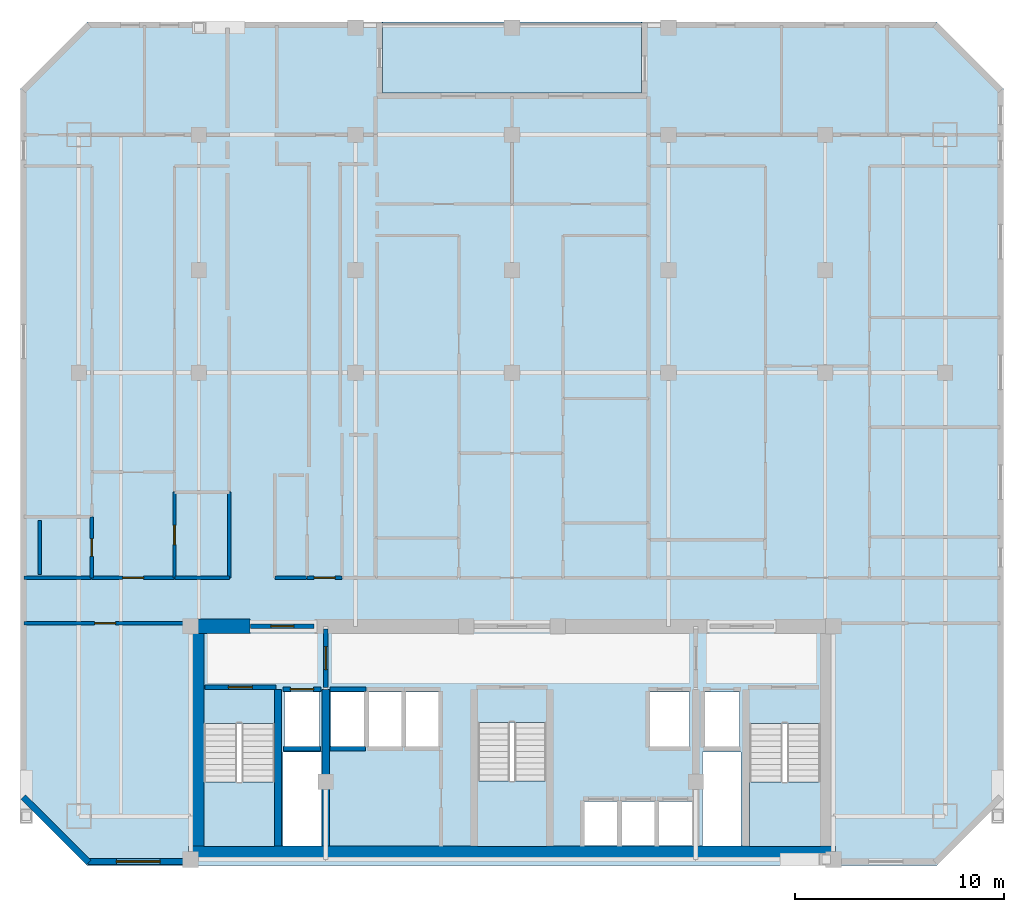
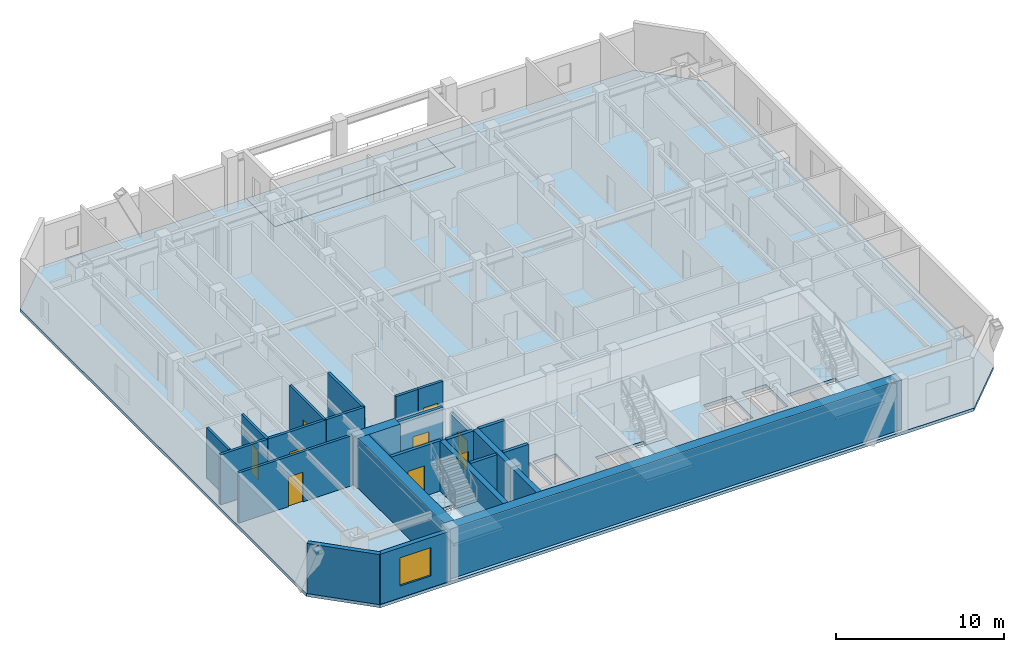
# One storey, part 2 of 8: 24 walls, 9 doors, 5 slabs, 1 window, 10 openings, 3 elements without a shape of their own.
"""IFC4 building model written with IfcOpenShell, lengths in metres."""

import ifcopenshell
import ifcopenshell.guid

model = None  # the IFC model being written
_history = None  # IfcOwnerHistory: only IFC2X3 demands one
_inside = {}  # id of a spatial element -> (the spatial element, [elements in it])
_under = {}  # id of a project, library or spatial element -> (it, [spatial elements below it])
_declared = {}  # id of a project -> (the project, [libraries it declares])
_typed = {}  # id of a type object -> (the type object, [elements of that type])
_made_of = {}  # id of a material, layer set ... -> (it, [elements and type objects made of it])


def new_model(schema):
    """Start an empty IFC model of exactly this schema.

    Asked for "IFC4X3", IfcOpenShell would pick the latest addendum, in which some entities
    have other attributes; the version numbers below select the first issue.
    IFC2X3 requires an IfcOwnerHistory on every rooted entity: one is made here for all.
    """
    global model, _history
    if schema == "IFC4X3":
        model = ifcopenshell.file(schema_version=(4, 3, 0, 0))
    else:
        model = ifcopenshell.file(schema=schema)
    _inside.clear()
    _under.clear()
    _declared.clear()
    _typed.clear()
    _made_of.clear()
    _history = None
    if model.schema == "IFC2X3":
        org = make("IfcOrganization", Name="unknown")
        user = make(
            "IfcPersonAndOrganization",
            ThePerson=make("IfcPerson", FamilyName="unknown"),
            TheOrganization=org,
        )
        app = make(
            "IfcApplication",
            ApplicationDeveloper=org,
            Version="unknown",
            ApplicationFullName="unknown",
            ApplicationIdentifier="unknown",
        )
        _history = make(
            "IfcOwnerHistory",
            OwningUser=user,
            OwningApplication=app,
            ChangeAction="ADDED",
            CreationDate=0,
        )
    return model


def make(cls, **values):
    """One entity of the class cls with the attributes given. An attribute that is None is left unset."""
    return model.create_entity(
        cls, **{name: value for name, value in values.items() if value is not None}
    )


def rooted(cls, **values):
    """An entity with a GlobalId (a new one), such as an element, a storey or a relation."""
    return make(cls, GlobalId=ifcopenshell.guid.new(), OwnerHistory=_history, **values)


def si_unit(unit_type, name, prefix=None):
    """IfcSIUnit, for example si_unit("LENGTHUNIT", "METRE", prefix="MILLI")."""
    return make("IfcSIUnit", UnitType=unit_type, Prefix=prefix, Name=name)


def assignment(units):
    """IfcUnitAssignment: the units of a project."""
    return None if units is None else make("IfcUnitAssignment", Units=units)


def point(xyz):
    """IfcCartesianPoint."""
    return None if xyz is None else make("IfcCartesianPoint", Coordinates=xyz)


def direction(xyz):
    """IfcDirection."""
    return None if xyz is None else make("IfcDirection", DirectionRatios=xyz)


def frame(location, z_axis=None, x_axis=None):
    """IfcAxis2Placement3D, a coordinate frame: its origin and axes. An axis left out is left unset."""
    return make(
        "IfcAxis2Placement3D",
        Location=point(location),
        Axis=direction(z_axis),
        RefDirection=direction(x_axis),
    )


def frame_2d(location, x_axis=None):
    """IfcAxis2Placement2D, a coordinate frame in the plane: its origin and x axis."""
    return make(
        "IfcAxis2Placement2D", Location=point(location), RefDirection=direction(x_axis)
    )


def origin():
    """The frame at (0, 0, 0) with its axes left unset."""
    return frame((0.0, 0.0, 0.0))


def place(relative_to, where):
    """IfcLocalPlacement: puts the frame where relative to a parent placement (None: the world)."""
    return make(
        "IfcLocalPlacement", PlacementRelTo=relative_to, RelativePlacement=where
    )


def context(
    kind, dimensions, precision=None, world=None, true_north=None, identifier=None
):
    """IfcGeometricRepresentationContext, for example the 3D "Model" context."""
    return make(
        "IfcGeometricRepresentationContext",
        ContextIdentifier=identifier,
        ContextType=kind,
        CoordinateSpaceDimension=dimensions,
        Precision=precision,
        WorldCoordinateSystem=world,
        TrueNorth=true_north,
    )


def subcontext(parent, identifier, kind, view, scale=None):
    """IfcGeometricRepresentationSubContext, for example "Body" below "Model"."""
    return make(
        "IfcGeometricRepresentationSubContext",
        ContextIdentifier=identifier,
        ContextType=kind,
        ParentContext=parent,
        TargetScale=scale,
        TargetView=view,
    )


def project(units=None, contexts=None):
    """IfcProject with its units and contexts."""
    return rooted(
        "IfcProject",
        Name="project",
        RepresentationContexts=contexts,
        UnitsInContext=assignment(units),
    )


def spatial(cls, under=None, at=None, **own):
    """A site, building, storey or space (cls), placed at a placement, below another one or the project."""
    s = rooted(cls, ObjectPlacement=at, **own)
    if under is not None:
        _under.setdefault(under.id(), (under, []))[1].append(s)
    return s


def polyline(points):
    """IfcPolyline through the points."""
    return make("IfcPolyline", Points=[point(p) for p in points])


def profile(cls, at=None, kind="AREA", **sizes):
    """A parametric profile (cls). Its sizes go by their IFC names, for example OverallWidth=200.0."""
    return make(cls, ProfileType=kind, Position=at, **sizes)


def rectangle(**sizes):
    """IfcRectangleProfileDef."""
    return profile("IfcRectangleProfileDef", **sizes)


def outline(outer, holes=None, kind="AREA"):
    """IfcArbitraryClosedProfileDef: a profile drawn as a closed curve; with holes, ...WithVoids."""
    if holes is None:
        return make("IfcArbitraryClosedProfileDef", ProfileType=kind, OuterCurve=outer)
    return make(
        "IfcArbitraryProfileDefWithVoids",
        ProfileType=kind,
        OuterCurve=outer,
        InnerCurves=holes,
    )


def extrude(swept, where, along, depth):
    """IfcExtrudedAreaSolid: the profile swept, set in the frame where, extruded along a direction by depth."""
    return make(
        "IfcExtrudedAreaSolid",
        SweptArea=swept,
        Position=where,
        ExtrudedDirection=direction(along),
        Depth=depth,
    )


def shape(context_of_items, identifier, shape_type, items):
    """IfcShapeRepresentation: the items that make up one representation, for example the "Body"."""
    return make(
        "IfcShapeRepresentation",
        ContextOfItems=context_of_items,
        RepresentationIdentifier=identifier,
        RepresentationType=shape_type,
        Items=items,
    )


def material(Name=None, Category=None):
    """IfcMaterial."""
    return make("IfcMaterial", Name=Name, Category=Category)


def layer(
    of_material, thickness, ventilated=None, Name=None, Category=None, Priority=None
):
    """IfcMaterialLayer: one layer of a wall or slab, of a material (None: an air gap)."""
    return make(
        "IfcMaterialLayer",
        Material=of_material,
        LayerThickness=thickness,
        IsVentilated=ventilated,
        Name=Name,
        Category=Category,
        Priority=Priority,
    )


def layer_set(layers, Name=None):
    """IfcMaterialLayerSet."""
    return make("IfcMaterialLayerSet", MaterialLayers=layers, LayerSetName=Name)


def made_of(thing, what):
    """Note that an element or type object is made of a material, layer set ...; save() writes the relation."""
    if what is not None:
        _made_of.setdefault(what.id(), (what, []))[1].append(thing)
    return thing


def type_object(cls, material=None, **own):
    """A type object (cls), such as IfcWallType, which elements share."""
    return made_of(rooted(cls, **own), material)


def element(
    cls,
    number,
    at=None,
    inside=None,
    cuts=None,
    type_object=None,
    material=None,
    context=None,
    identifier="Body",
    shape_type=None,
    held_by="IfcProductDefinitionShape",
    body=None,
    shapes=None,
    **own,
):
    """One element of the class cls, such as IfcWall. Its Tag is "e" and its number.

    at: its placement. inside: the storey or other place that contains it. cuts: it is an
    opening in that element (IfcRelVoidsElement). A single representation is given by context,
    identifier, shape_type and body (its items); several are given by shapes. held_by: the class
    of the entity that holds the representations. save() writes the other relations.
    """
    e = rooted(cls, Tag="e%d" % number, ObjectPlacement=at, **own)
    if body is not None:
        shapes = [shape(context, identifier, shape_type, body)]
    if shapes is not None:
        e.Representation = make(held_by, Representations=shapes)
    if inside is not None:
        _inside.setdefault(inside.id(), (inside, []))[1].append(e)
    if cuts is not None:
        rooted(
            "IfcRelVoidsElement", RelatingBuildingElement=cuts, RelatedOpeningElement=e
        )
    if type_object is not None:
        _typed.setdefault(type_object.id(), (type_object, []))[1].append(e)
    return made_of(e, material)


def fill(opening, filler):
    """IfcRelFillsElement: the door or window that sits in an opening."""
    return rooted(
        "IfcRelFillsElement",
        RelatingOpeningElement=opening,
        RelatedBuildingElement=filler,
    )


def aggregate(whole, parts):
    """IfcRelAggregates: a whole, such as a stair, and the parts it consists of."""
    return rooted("IfcRelAggregates", RelatingObject=whole, RelatedObjects=parts)


def save(model, path):
    """Write the relations noted so far, then the file.

    IfcRelAggregates (storeys below a building ...), IfcRelContainedInSpatialStructure (elements
    in a storey), IfcRelDefinesByType, IfcRelAssociatesMaterial and IfcRelDeclares: one each for
    every whole, place, type object, material and project.
    """
    for whole, parts in _under.values():
        aggregate(whole, parts)
    for where, things in _inside.values():
        rooted(
            "IfcRelContainedInSpatialStructure",
            RelatedElements=things,
            RelatingStructure=where,
        )
    for kind, things in _typed.values():
        rooted("IfcRelDefinesByType", RelatedObjects=things, RelatingType=kind)
    for what, things in _made_of.values():
        rooted("IfcRelAssociatesMaterial", RelatedObjects=things, RelatingMaterial=what)
    for by, libraries in _declared.values():
        rooted("IfcRelDeclares", RelatingContext=by, RelatedDefinitions=libraries)
    model.write(path)


model = new_model("IFC4")

# Units and contexts
model_context = context("Model", 3, precision=1e-05, world=origin(), true_north=direction((0.0, 1.0)))
body_context = subcontext(model_context, "Body", "Model", "MODEL_VIEW")
ifc_project = project(units=[si_unit("LENGTHUNIT", "METRE"), si_unit("AREAUNIT", "SQUARE_METRE"), si_unit("VOLUMEUNIT", "CUBIC_METRE"), si_unit("PLANEANGLEUNIT", "RADIAN"), si_unit("MASSUNIT", "GRAM", prefix="KILO")], contexts=[model_context])

# Site, building, storey
site_placement = place(None, origin())
site = spatial("IfcSite", under=ifc_project, at=site_placement, CompositionType="ELEMENT")
building_placement = place(site_placement, origin())
building = spatial("IfcBuilding", under=site, at=building_placement, Name="Ventersveld Concourse Tower", CompositionType="ELEMENT")
storey_placement = place(building_placement, frame((0.0, 0.0, 183.699951171875)))
storey = spatial("IfcBuildingStorey", under=building, at=storey_placement, Name="L45", CompositionType="ELEMENT", Elevation=183.699951171875)

# Slabs
ifc_material_1 = material(Name="Concrete C50/60", Category="concrete")
ifc_layer_1 = layer(ifc_material_1, 0.219970703125)
ifc_layer_set_1 = layer_set([ifc_layer_1], Name="Concrete C50/60")
slab_type_1 = type_object("IfcSlabType", Name="SL-FLR-220", PredefinedType="FLOOR", material=ifc_layer_set_1)
slab_1_placement = place(storey_placement, frame((0.0, 0.0, -0.219970703125)))
element("IfcSlab", 1, at=slab_1_placement, inside=storey, type_object=slab_type_1, Name="L45 Composite Floor Slab", PredefinedType="FLOOR", context=body_context, shape_type="SweptSolid", body=[
    extrude(outline(polyline([(8.39990234375, 0.0), (49.10009765625, 0.0), (52.300048828125, 3.199951171875), (52.300048828125, 37.199951171875), (49.10009765625, 40.39990234375), (34.949951171875, 40.39990234375), (34.949951171875, 37.0), (22.550048828125, 37.0), (22.550048828125, 40.39990234375), (8.39990234375, 40.39990234375), (5.199951171875, 37.199951171875), (5.199951171875, 3.199951171875), (8.39990234375, 0.0)]), holes=[polyline([(13.97998046875, 6.794921875), (13.97998046875, 0.89990234375), (17.3798828125, 0.89990234375), (17.3798828125, 6.794921875), (13.97998046875, 6.794921875)]), polyline([(40.1201171875, 6.794921875), (40.1201171875, 0.89990234375), (43.52001953125, 0.89990234375), (43.52001953125, 6.794921875), (40.1201171875, 6.794921875)]), polyline([(27.10009765625, 6.844970703125), (27.10009765625, 0.89990234375), (30.39990234375, 0.89990234375), (30.39990234375, 6.844970703125), (27.10009765625, 6.844970703125)]), polyline([(17.85009765625, 5.699951171875), (19.530029296875, 5.699951171875), (19.530029296875, 8.300048828125), (17.85009765625, 8.300048828125), (17.85009765625, 5.699951171875)]), polyline([(37.969970703125, 5.699951171875), (39.64990234375, 5.699951171875), (39.64990234375, 8.300048828125), (37.969970703125, 8.300048828125), (37.969970703125, 5.699951171875)]), polyline([(35.35009765625, 5.699951171875), (37.25, 5.699951171875), (37.25, 8.300048828125), (35.35009765625, 8.300048828125), (35.35009765625, 5.699951171875)]), polyline([(32.2099609375, 0.949951171875), (33.81005859375, 0.949951171875), (33.81005859375, 3.050048828125), (32.2099609375, 3.050048828125), (32.2099609375, 0.949951171875)]), polyline([(33.989990234375, 0.949951171875), (35.590087890625, 0.949951171875), (35.590087890625, 3.050048828125), (33.989990234375, 3.050048828125), (33.989990234375, 0.949951171875)]), polyline([(35.77001953125, 0.949951171875), (37.3701171875, 0.949951171875), (37.3701171875, 3.050048828125), (35.77001953125, 3.050048828125), (35.77001953125, 0.949951171875)]), polyline([(20.090087890625, 5.699951171875), (21.68994140625, 5.699951171875), (21.68994140625, 8.300048828125), (20.090087890625, 8.300048828125), (20.090087890625, 5.699951171875)]), polyline([(21.8701171875, 5.699951171875), (23.469970703125, 5.699951171875), (23.469970703125, 8.300048828125), (21.8701171875, 8.300048828125), (21.8701171875, 5.699951171875)]), polyline([(23.64990234375, 5.699951171875), (25.25, 5.699951171875), (25.25, 8.300048828125), (23.64990234375, 8.300048828125), (23.64990234375, 5.699951171875)]), polyline([(17.780029296875, 0.919921875), (19.6201171875, 0.919921875), (19.6201171875, 5.419921875), (17.780029296875, 5.419921875), (17.780029296875, 0.919921875)]), polyline([(37.8798828125, 0.919921875), (39.719970703125, 0.919921875), (39.719970703125, 5.419921875), (37.8798828125, 5.419921875), (37.8798828125, 0.919921875)])]), origin(), (0.0, 0.0, 1.0), 0.219970703125),
])
slab_2_placement = place(storey_placement, frame((0.0, 0.0, -0.219970703125)))
element("IfcSlab", 2, at=slab_2_placement, inside=storey, type_object=slab_type_1, Name="L45 Outdoor Terrace Slab NOTCH-N", PredefinedType="FLOOR", context=body_context, shape_type="SweptSolid", body=[
    extrude(outline(polyline([(22.550048828125, 37.0), (34.949951171875, 37.0), (34.949951171875, 40.39990234375), (22.550048828125, 40.39990234375), (22.550048828125, 37.0)])), origin(), (0.0, 0.0, 1.0), 0.219970703125),
])

# Stair, slab
stair_type_1 = type_object("IfcStairType", Name="ST-DOG-160", PredefinedType="HALF_TURN_STAIR", material=ifc_material_1)
stair_1_placement = place(storey_placement, origin())
stair_1 = element("IfcStair", 3, at=stair_1_placement, inside=storey, type_object=stair_type_1, Name="L45 Protected Tower Escape Stair ST-01", PredefinedType="HALF_TURN_STAIR")
ifc_layer_2 = layer(ifc_material_1, 0.199951171875)
ifc_layer_set_2 = layer_set([ifc_layer_2], Name="Concrete C50/60")
slab_type_2 = type_object("IfcSlabType", Name="SL-LND-200", PredefinedType="LANDING", material=ifc_layer_set_2)
slab_3_placement = place(storey_placement, frame((0.0, 0.0, 1.72509765625)))
slab_3 = element("IfcSlab", 4, at=slab_3_placement, type_object=slab_type_2, Name="ST-01 landing 1", PredefinedType="LANDING", context=body_context, shape_type="SweptSolid", body=[
    extrude(outline(polyline([(13.97998046875, 4.0), (13.97998046875, 0.89990234375), (17.3798828125, 0.89990234375), (17.3798828125, 4.0), (13.97998046875, 4.0)])), origin(), (0.0, 0.0, 1.0), 0.199951171875),
])
aggregate(stair_1, [slab_3])

stair_2_placement = place(storey_placement, origin())
stair_2 = element("IfcStair", 5, at=stair_2_placement, inside=storey, type_object=stair_type_1, Name="L45 Protected Tower Escape Stair ST-02", PredefinedType="HALF_TURN_STAIR")
slab_4_placement = place(storey_placement, frame((0.0, 0.0, 1.72509765625)))
slab_4 = element("IfcSlab", 6, at=slab_4_placement, type_object=slab_type_2, Name="ST-02 landing 1", PredefinedType="LANDING", context=body_context, shape_type="SweptSolid", body=[
    extrude(outline(polyline([(40.1201171875, 4.0), (40.1201171875, 0.89990234375), (43.52001953125, 0.89990234375), (43.52001953125, 4.0), (40.1201171875, 4.0)])), origin(), (0.0, 0.0, 1.0), 0.199951171875),
])
aggregate(stair_2, [slab_4])

stair_type_2 = type_object("IfcStairType", Name="ST-DOG-155", PredefinedType="HALF_TURN_STAIR", material=ifc_material_1)
stair_3_placement = place(storey_placement, origin())
stair_3 = element("IfcStair", 7, at=stair_3_placement, inside=storey, type_object=stair_type_2, Name="L45 Protected Central Core Escape Stair ST-03", PredefinedType="HALF_TURN_STAIR")
slab_5_placement = place(storey_placement, frame((0.0, 0.0, 1.72509765625)))
slab_5 = element("IfcSlab", 8, at=slab_5_placement, type_object=slab_type_2, Name="ST-03 landing 1", PredefinedType="LANDING", context=body_context, shape_type="SweptSolid", body=[
    extrude(outline(polyline([(27.10009765625, 4.050048828125), (27.10009765625, 0.89990234375), (30.39990234375, 0.89990234375), (30.39990234375, 4.050048828125), (27.10009765625, 4.050048828125)])), origin(), (0.0, 0.0, 1.0), 0.199951171875),
])
aggregate(stair_3, [slab_5])

# Walls
ifc_material_2 = material(Name="Concrete C60/75", Category="concrete")
ifc_layer_3 = layer(ifc_material_2, 0.35009765625)
ifc_layer_set_3 = layer_set([ifc_layer_3], Name="Concrete C60/75")
wall_type_1 = type_object("IfcWallType", Name="WL-CORE-350L", PredefinedType="SHEAR", material=ifc_layer_set_3)
for number, where, z_axis, x_axis, name in (
    (9, (17.5400390625, 0.919921875, 0.0), (0.0, 0.0, 1.0), (0.0, 1.0, 0.0), "L45 Core Internal Shear Web W-ST1-E"),
    (10, (19.820068359375, 0.919921875, 0.0), (0.0, 0.0, 1.0), (0.0, 1.0, 0.0), "L45 Core Internal Shear Web W-FF1-E"),
):
    element("IfcWall", number, at=place(storey_placement, frame(where, z_axis=z_axis, x_axis=x_axis)), inside=storey, type_object=wall_type_1, Name=name, PredefinedType="SHEAR", context=body_context, shape_type="SweptSolid", body=[
        extrude(rectangle(XDim=7.5, YDim=0.35009765625, at=frame_2d((3.75, 0.0))), origin(), (0.0, 0.0, 1.0), 3.630126953125),
    ])
ifc_layer_4 = layer(ifc_material_2, 0.699951171875)
ifc_layer_set_4 = layer_set([ifc_layer_4], Name="Concrete C60/75")
wall_type_2 = type_object("IfcWallType", Name="WL-CORE-700", PredefinedType="SHEAR", material=ifc_layer_set_4)
wall_1_placement = place(storey_placement, frame((13.25, 0.570068359375, 0.0), z_axis=(0.0, 0.0, 1.0), x_axis=(1.0, 0.0, 0.0)))
element("IfcWall", 11, at=wall_1_placement, inside=storey, type_object=wall_type_2, Name="L45 Rear Core South Shear Wall", PredefinedType="SHEAR", context=body_context, shape_type="SweptSolid", body=[
    extrude(rectangle(XDim=31.0, YDim=0.699951171875, at=frame_2d((15.5, 0.0))), origin(), (0.0, 0.0, 1.0), 3.630126953125),
])
wall_2_placement = place(storey_placement, frame((13.64990234375, 0.919921875, 0.0), z_axis=(0.0, 0.0, 1.0), x_axis=(0.0, 1.0, 0.0)))
element("IfcWall", 12, at=wall_2_placement, inside=storey, type_object=wall_type_2, Name="L45 Rear Core West Shear Wall", PredefinedType="SHEAR", context=body_context, shape_type="SweptSolid", body=[
    extrude(rectangle(XDim=10.530029296875, YDim=0.699951171875, at=frame_2d((5.26513671875, 0.0))), origin(), (0.0, 0.0, 1.0), 3.630126953125),
])
wall_3_placement = place(storey_placement, frame((13.25, 11.449951171875, 0.0), z_axis=(0.0, 0.0, 1.0), x_axis=(1.0, 0.0, 0.0)))
element("IfcWall", 13, at=wall_3_placement, inside=storey, type_object=wall_type_2, Name="L45 Rear Core North Shear Wall NW", PredefinedType="SHEAR", context=body_context, shape_type="SweptSolid", body=[
    extrude(rectangle(XDim=2.949951171875, YDim=0.699951171875, at=frame_2d((1.47509765625, 0.0))), origin(), (0.0, 0.0, 1.0), 3.630126953125),
])

# Wall, opening, door
ifc_material_3 = material(Name="Fire-rated autoclaved aerated masonry blockwork", Category="masonry")
ifc_layer_5 = layer(ifc_material_3, 0.179931640625)
ifc_layer_set_5 = layer_set([ifc_layer_5], Name="Fire-rated autoclaved aerated masonry blockwork")
wall_type_3 = type_object("IfcWallType", Name="WL-CORR-180", PredefinedType="PARTITIONING", material=ifc_layer_set_5)
wall_4_placement = place(storey_placement, frame((5.37255859375, 11.60009765625, 0.0), z_axis=(0.0, 0.0, 1.0), x_axis=(1.0, 0.0, 0.0)))
wall_4 = element("IfcWall", 14, at=wall_4_placement, inside=storey, type_object=wall_type_3, Name="L45 Interior Partition SP-L45-SW-GAL-SP-L45-COR", PredefinedType="PARTITIONING", context=body_context, shape_type="SweptSolid", body=[
    extrude(rectangle(XDim=7.7724609375, YDim=0.179931640625, at=frame_2d((3.88623046875, 0.0))), origin(), (0.0, 0.0, 1.0), 3.630126953125),
])
opening_1_placement = place(wall_4_placement, frame((3.38623046875, 0.0, 0.0)))
opening_1 = element("IfcOpeningElement", 15, at=opening_1_placement, cuts=wall_4, Name="Opening FD3", PredefinedType="OPENING", context=body_context, shape_type="SweptSolid", body=[
    extrude(rectangle(XDim=1.0, YDim=2.14990234375, at=frame_2d((0.5, 1.074951171875))), frame((0.0, 0.10009765625, 0.0), z_axis=(0.0, -1.0, 0.0), x_axis=(1.0, 0.0, 0.0)), (0.0, 0.0, 1.0), 0.199951171875),
])
ifc_material_4 = material(Name="Solid-core hardwood veneer timber", Category="wood")
door_type_1 = type_object("IfcDoorType", Name="DR-FLAT-100", OperationType="NOTDEFINED", PredefinedType="DOOR", material=ifc_material_4)
door_1_placement = place(opening_1_placement, origin())
door_1 = element("IfcDoor", 16, at=door_1_placement, inside=storey, type_object=door_type_1, Name="L45 Interior Door SP-L45-SW-GAL to SP-L45-COR (D-L45-2202)", OperationType="SINGLE_SWING_RIGHT", OverallHeight=2.14990234375, OverallWidth=1.0, PredefinedType="DOOR", context=body_context, shape_type="SweptSolid", body=[
    extrude(rectangle(XDim=1.0, YDim=2.14990234375, at=frame_2d((0.5, 1.074951171875))), frame((0.0, 0.02490234375, 0.0), z_axis=(0.0, -1.0, 0.0), x_axis=(1.0, 0.0, 0.0)), (0.0, 0.0, 1.0), 0.050048828125),
])
fill(opening_1, door_1)

wall_5_placement = place(storey_placement, frame((8.6162109375, 13.77001953125, 0.0), z_axis=(0.0, 0.0, 1.0), x_axis=(1.0, 0.0, 0.0)))
wall_5 = element("IfcWall", 17, at=wall_5_placement, inside=storey, type_object=wall_type_3, Name="L45 Interior Partition SP-L45-COR-SP-L45-45NW-FOY", PredefinedType="PARTITIONING", context=body_context, shape_type="SweptSolid", body=[
    extrude(rectangle(XDim=3.969970703125, YDim=0.179931640625, at=frame_2d((1.98486328125, 0.0))), origin(), (0.0, 0.0, 1.0), 3.630126953125),
])
opening_2_placement = place(wall_5_placement, frame((1.485107421875, 0.0, 0.0)))
opening_2 = element("IfcOpeningElement", 18, at=opening_2_placement, cuts=wall_5, Name="Opening FD3", PredefinedType="OPENING", context=body_context, shape_type="SweptSolid", body=[
    extrude(rectangle(XDim=1.0, YDim=2.14990234375, at=frame_2d((0.5, 1.074951171875))), frame((0.0, 0.10009765625, 0.0), z_axis=(0.0, -1.0, 0.0), x_axis=(1.0, 0.0, 0.0)), (0.0, 0.0, 1.0), 0.199951171875),
])
door_2_placement = place(opening_2_placement, origin())
door_2 = element("IfcDoor", 19, at=door_2_placement, inside=storey, type_object=door_type_1, Name="L45 Interior Door SP-L45-COR to SP-L45-45NW-FOY (FD-L45-2204)", OperationType="SINGLE_SWING_RIGHT", OverallHeight=2.14990234375, OverallWidth=1.0, PredefinedType="DOOR", context=body_context, shape_type="SweptSolid", body=[
    extrude(rectangle(XDim=1.0, YDim=2.14990234375, at=frame_2d((0.5, 1.074951171875))), frame((0.0, 0.02490234375, 0.0), z_axis=(0.0, -1.0, 0.0), x_axis=(1.0, 0.0, 0.0)), (0.0, 0.0, 1.0), 0.050048828125),
])
fill(opening_2, door_2)

# Walls
wall_6_placement = place(storey_placement, frame((5.37255859375, 13.77001953125, 0.0), z_axis=(0.0, 0.0, 1.0), x_axis=(1.0, 0.0, 0.0)))
element("IfcWall", 20, at=wall_6_placement, inside=storey, type_object=wall_type_3, Name="L45 Interior Partition SP-L45-COR-SP-L45-45NW-BATH", PredefinedType="PARTITIONING", context=body_context, shape_type="SweptSolid", body=[
    extrude(rectangle(XDim=3.213623046875, YDim=0.179931640625, at=frame_2d((1.60693359375, 0.0))), origin(), (0.0, 0.0, 1.0), 3.630126953125),
])
wall_7_placement = place(storey_placement, frame((15.2099609375, 13.764892578125, 0.0), z_axis=(0.0, 0.0, 1.0), x_axis=(0.0, 1.0, 0.0)))
element("IfcWall", 21, at=wall_7_placement, inside=storey, type_object=wall_type_3, Name="L45 Interior Partition SP-L45-COR-SP-L45-45NW-KIT", PredefinedType="PARTITIONING", context=body_context, shape_type="SweptSolid", body=[
    extrude(rectangle(XDim=4.110595703125, YDim=0.179931640625, at=frame_2d((2.05517578125, 0.0))), origin(), (0.0, 0.0, 1.0), 3.630126953125),
])
wall_8_placement = place(storey_placement, frame((12.6162109375, 13.77001953125, 0.0), z_axis=(0.0, 0.0, 1.0), x_axis=(1.0, 0.0, 0.0)))
element("IfcWall", 22, at=wall_8_placement, inside=storey, type_object=wall_type_3, Name="L45 Interior Partition SP-L45-COR-SP-L45-45NW-KIT", PredefinedType="PARTITIONING", context=body_context, shape_type="SweptSolid", body=[
    extrude(rectangle(XDim=2.598876953125, YDim=0.179931640625, at=frame_2d((1.29931640625, 0.0))), origin(), (0.0, 0.0, 1.0), 3.630126953125),
])

# Wall, opening, door
wall_9_placement = place(storey_placement, frame((18.93505859375, 13.77001953125, 0.0), z_axis=(0.0, 0.0, 1.0), x_axis=(1.0, 0.0, 0.0)))
wall_9 = element("IfcWall", 23, at=wall_9_placement, inside=storey, type_object=wall_type_3, Name="L45 Interior Partition SP-L45-COR-SP-L45-45CW-LIV", PredefinedType="PARTITIONING", context=body_context, shape_type="SweptSolid", body=[
    extrude(rectangle(XDim=1.679931640625, YDim=0.179931640625, at=frame_2d((0.83984375, 0.0))), origin(), (0.0, 0.0, 1.0), 3.630126953125),
])
opening_3_placement = place(wall_9_placement, frame((0.340087890625, 0.0, 0.0)))
opening_3 = element("IfcOpeningElement", 24, at=opening_3_placement, cuts=wall_9, Name="Opening FD3", PredefinedType="OPENING", context=body_context, shape_type="SweptSolid", body=[
    extrude(rectangle(XDim=1.0, YDim=2.14990234375, at=frame_2d((0.5, 1.074951171875))), frame((0.0, 0.10009765625, 0.0), z_axis=(0.0, -1.0, 0.0), x_axis=(1.0, 0.0, 0.0)), (0.0, 0.0, 1.0), 0.199951171875),
])
door_3_placement = place(opening_3_placement, origin())
door_3 = element("IfcDoor", 25, at=door_3_placement, inside=storey, type_object=door_type_1, Name="L45 Interior Door SP-L45-COR to SP-L45-45CW-LIV (FD-L45-2205)", OperationType="SINGLE_SWING_LEFT", OverallHeight=2.14990234375, OverallWidth=1.0, PredefinedType="DOOR", context=body_context, shape_type="SweptSolid", body=[
    extrude(rectangle(XDim=1.0, YDim=2.14990234375, at=frame_2d((0.5, 1.074951171875))), frame((0.0, 0.02490234375, 0.0), z_axis=(0.0, -1.0, 0.0), x_axis=(1.0, 0.0, 0.0)), (0.0, 0.0, 1.0), 0.050048828125),
])
fill(opening_3, door_3)

# Walls
wall_10_placement = place(storey_placement, frame((17.385009765625, 13.77001953125, 0.0), z_axis=(0.0, 0.0, 1.0), x_axis=(1.0, 0.0, 0.0)))
element("IfcWall", 26, at=wall_10_placement, inside=storey, type_object=wall_type_3, Name="L45 Interior Partition SP-L45-COR-SP-L45-45CW-BATH", PredefinedType="PARTITIONING", context=body_context, shape_type="SweptSolid", body=[
    extrude(rectangle(XDim=1.52001953125, YDim=0.179931640625, at=frame_2d((0.760009765625, 0.0))), origin(), (0.0, 0.0, 1.0), 3.630126953125),
])
ifc_layer_6 = layer(ifc_material_3, 0.219970703125)
ifc_layer_set_6 = layer_set([ifc_layer_6], Name="Fire-rated autoclaved aerated masonry blockwork")
wall_type_4 = type_object("IfcWallType", Name="WL-HOIST-220", PredefinedType="SOLIDWALL", material=ifc_layer_set_6)
wall_11_placement = place(storey_placement, frame((17.800048828125, 5.590087890625, 0.0), z_axis=(0.0, 0.0, 1.0), x_axis=(1.0, 0.0, 0.0)))
element("IfcWall", 27, at=wall_11_placement, inside=storey, type_object=wall_type_4, Name="L45 Lift Hoistway Back Wall FFL-01", PredefinedType="SOLIDWALL", context=body_context, shape_type="SweptSolid", body=[
    extrude(rectangle(XDim=1.780029296875, YDim=0.219970703125, at=frame_2d((0.89013671875, 0.0))), origin(), (0.0, 0.0, 1.0), 3.630126953125),
])

# Wall, opening, door
wall_12_placement = place(storey_placement, frame((17.780029296875, 8.429931640625, 0.0), z_axis=(0.0, 0.0, 1.0), x_axis=(1.0, 0.0, 0.0)))
wall_12 = element("IfcWall", 28, at=wall_12_placement, inside=storey, type_object=wall_type_4, Name="L45 Lift Hoistway Front Wall FFL-01", PredefinedType="SOLIDWALL", context=body_context, shape_type="SweptSolid", body=[
    extrude(rectangle(XDim=1.820068359375, YDim=0.219970703125, at=frame_2d((0.91015625, 0.0))), origin(), (0.0, 0.0, 1.0), 3.630126953125),
])
opening_4_placement = place(wall_12_placement, frame((0.35009765625, 0.0, 0.0)))
opening_4 = element("IfcOpeningElement", 29, at=opening_4_placement, cuts=wall_12, Name="Opening LD1", PredefinedType="OPENING", context=body_context, shape_type="SweptSolid", body=[
    extrude(rectangle(XDim=1.1201171875, YDim=2.25, at=frame_2d((0.56005859375, 1.125))), frame((0.0, 0.1201171875, 0.0), z_axis=(0.0, -1.0, 0.0), x_axis=(1.0, 0.0, 0.0)), (0.0, 0.0, 1.0), 0.239990234375),
])
ifc_material_5 = material(Name="Brushed stainless steel 316", Category="steel")
door_type_2 = type_object("IfcDoorType", Name="LD-FF-112", OperationType="SLIDING_TO_LEFT", PredefinedType="DOOR", material=ifc_material_5)
door_4_placement = place(opening_4_placement, origin())
door_4 = element("IfcDoor", 30, at=door_4_placement, inside=storey, type_object=door_type_2, Name="L45 Lift landing door FFL-01 (LD-L45-FFL-01)", OperationType="SLIDING_TO_LEFT", OverallHeight=2.25, OverallWidth=1.1201171875, PredefinedType="DOOR", context=body_context, shape_type="SweptSolid", body=[
    extrude(rectangle(XDim=1.1201171875, YDim=2.25, at=frame_2d((0.56005859375, 1.125))), frame((0.0, 0.02490234375, 0.0), z_axis=(0.0, -1.0, 0.0), x_axis=(1.0, 0.0, 0.0)), (0.0, 0.0, 1.0), 0.050048828125),
])
fill(opening_4, door_4)

# Walls
wall_13_placement = place(storey_placement, frame((20.0400390625, 5.590087890625, 0.0), z_axis=(0.0, 0.0, 1.0), x_axis=(1.0, 0.0, 0.0)))
element("IfcWall", 31, at=wall_13_placement, inside=storey, type_object=wall_type_4, Name="L45 Lift Hoistway Back Wall PH-01", PredefinedType="SOLIDWALL", context=body_context, shape_type="SweptSolid", body=[
    extrude(rectangle(XDim=1.699951171875, YDim=0.219970703125, at=frame_2d((0.85009765625, 0.0))), origin(), (0.0, 0.0, 1.0), 3.630126953125),
])
wall_14_placement = place(storey_placement, frame((20.02001953125, 8.429931640625, 0.0), z_axis=(0.0, 0.0, 1.0), x_axis=(1.0, 0.0, 0.0)))
element("IfcWall", 32, at=wall_14_placement, inside=storey, type_object=wall_type_4, Name="L45 Lift Hoistway Front Wall PH-01", PredefinedType="SOLIDWALL", context=body_context, shape_type="SweptSolid", body=[
    extrude(rectangle(XDim=1.739990234375, YDim=0.219970703125, at=frame_2d((0.8701171875, 0.0))), origin(), (0.0, 0.0, 1.0), 3.630126953125),
])

# Wall, opening, door
wall_15_placement = place(storey_placement, frame((14.0400390625, 8.52001953125, 0.0), z_axis=(0.0, 0.0, 1.0), x_axis=(1.0, 0.0, 0.0)))
wall_15 = element("IfcWall", 33, at=wall_15_placement, inside=storey, type_object=wall_type_4, Name="L45 Escape Stair ST01 Fire Wall", PredefinedType="SOLIDWALL", context=body_context, shape_type="SweptSolid", body=[
    extrude(rectangle(XDim=3.39990234375, YDim=0.219970703125, at=frame_2d((1.699951171875, 0.0))), origin(), (0.0, 0.0, 1.0), 3.630126953125),
])
opening_5_placement = place(wall_15_placement, frame((1.125, 0.0, 0.0)))
opening_5 = element("IfcOpeningElement", 34, at=opening_5_placement, cuts=wall_15, Name="Opening FD1", PredefinedType="OPENING", context=body_context, shape_type="SweptSolid", body=[
    extrude(rectangle(XDim=1.14990234375, YDim=2.199951171875, at=frame_2d((0.574951171875, 1.10009765625))), frame((0.0, 0.1201171875, 0.0), z_axis=(0.0, -1.0, 0.0), x_axis=(1.0, 0.0, 0.0)), (0.0, 0.0, 1.0), 0.239990234375),
])
ifc_material_6 = material(Name="Galvanised painted steel", Category="steel")
door_type_3 = type_object("IfcDoorType", Name="DR-STAIR-115", OperationType="NOTDEFINED", PredefinedType="DOOR", material=ifc_material_6)
door_5_placement = place(opening_5_placement, origin())
door_5 = element("IfcDoor", 35, at=door_5_placement, inside=storey, type_object=door_type_3, Name="L45 Escape Stair Door ST01 (SD-L45-2193)", OperationType="SINGLE_SWING_LEFT", OverallHeight=2.199951171875, OverallWidth=1.14990234375, PredefinedType="DOOR", context=body_context, shape_type="SweptSolid", body=[
    extrude(rectangle(XDim=1.14990234375, YDim=2.199951171875, at=frame_2d((0.574951171875, 1.10009765625))), frame((0.0, 0.02490234375, 0.0), z_axis=(0.0, -1.0, 0.0), x_axis=(1.0, 0.0, 0.0)), (0.0, 0.0, 1.0), 0.050048828125),
])
fill(opening_5, door_5)

wall_16_placement = place(storey_placement, frame((19.820068359375, 8.52001953125, 0.0), z_axis=(0.0, 0.0, 1.0), x_axis=(0.0, 1.0, 0.0)))
wall_16 = element("IfcWall", 36, at=wall_16_placement, inside=storey, type_object=wall_type_4, Name="L45 Firefighting Lobby Smoke-Stop Wall FFLW-SEP", PredefinedType="SOLIDWALL", context=body_context, shape_type="SweptSolid", body=[
    extrude(rectangle(XDim=2.800048828125, YDim=0.219970703125, at=frame_2d((1.39990234375, 0.0))), origin(), (0.0, 0.0, 1.0), 3.08544921875),
])
opening_6_placement = place(wall_16_placement, frame((0.85009765625, 0.0, 0.0)))
opening_6 = element("IfcOpeningElement", 37, at=opening_6_placement, cuts=wall_16, Name="Opening FD2", PredefinedType="OPENING", context=body_context, shape_type="SweptSolid", body=[
    extrude(rectangle(XDim=1.10009765625, YDim=2.199951171875, at=frame_2d((0.550048828125, 1.10009765625))), frame((0.0, 0.1201171875, 0.0), z_axis=(0.0, -1.0, 0.0), x_axis=(1.0, 0.0, 0.0)), (0.0, 0.0, 1.0), 0.239990234375),
])
door_type_4 = type_object("IfcDoorType", Name="DR-FFL-110", OperationType="NOTDEFINED", PredefinedType="DOOR", material=ifc_material_6)
door_6_placement = place(opening_6_placement, origin())
door_6 = element("IfcDoor", 38, at=door_6_placement, inside=storey, type_object=door_type_4, Name="L45 Firefighting Lobby Door FFLW-SEP (FD-L45-2196)", OperationType="SINGLE_SWING_LEFT", OverallHeight=2.199951171875, OverallWidth=1.10009765625, PredefinedType="DOOR", context=body_context, shape_type="SweptSolid", body=[
    extrude(rectangle(XDim=1.10009765625, YDim=2.199951171875, at=frame_2d((0.550048828125, 1.10009765625))), frame((0.0, 0.02490234375, 0.0), z_axis=(0.0, -1.0, 0.0), x_axis=(1.0, 0.0, 0.0)), (0.0, 0.0, 1.0), 0.050048828125),
])
fill(opening_6, door_6)

wall_17_placement = place(storey_placement, frame((16.22998046875, 11.449951171875, 0.0), z_axis=(0.0, 0.0, 1.0), x_axis=(1.0, 0.0, 0.0)))
wall_17 = element("IfcWall", 39, at=wall_17_placement, inside=storey, type_object=wall_type_4, Name="L45 Core North Fire Portal FFLW-OUT", PredefinedType="SOLIDWALL", context=body_context, shape_type="SweptSolid", body=[
    extrude(rectangle(XDim=3.0400390625, YDim=0.219970703125, at=frame_2d((1.52001953125, 0.0))), origin(), (0.0, 0.0, 1.0), 3.630126953125),
])
opening_7_placement = place(wall_17_placement, frame((0.969970703125, 0.0, 0.0)))
opening_7 = element("IfcOpeningElement", 40, at=opening_7_placement, cuts=wall_17, Name="Opening FD2", PredefinedType="OPENING", context=body_context, shape_type="SweptSolid", body=[
    extrude(rectangle(XDim=1.10009765625, YDim=2.199951171875, at=frame_2d((0.550048828125, 1.10009765625))), frame((0.0, 0.1201171875, 0.0), z_axis=(0.0, -1.0, 0.0), x_axis=(1.0, 0.0, 0.0)), (0.0, 0.0, 1.0), 0.239990234375),
])
door_7_placement = place(opening_7_placement, origin())
door_7 = element("IfcDoor", 41, at=door_7_placement, inside=storey, type_object=door_type_4, Name="L45 Core Lobby Fire Door FFLW-OUT (FD-L45-2198)", OperationType="SINGLE_SWING_RIGHT", OverallHeight=2.199951171875, OverallWidth=1.10009765625, PredefinedType="DOOR", context=body_context, shape_type="SweptSolid", body=[
    extrude(rectangle(XDim=1.10009765625, YDim=2.199951171875, at=frame_2d((0.550048828125, 1.10009765625))), frame((0.0, 0.02490234375, 0.0), z_axis=(0.0, -1.0, 0.0), x_axis=(1.0, 0.0, 0.0)), (0.0, 0.0, 1.0), 0.050048828125),
])
fill(opening_7, door_7)

ifc_material_7 = material(Name="Autoclaved aerated masonry blockwork", Category="masonry")
ifc_layer_7 = layer(ifc_material_7, 0.14990234375)
ifc_layer_set_7 = layer_set([ifc_layer_7], Name="Autoclaved aerated masonry blockwork")
wall_type_5 = type_object("IfcWallType", Name="WL-INT-150", PredefinedType="PARTITIONING", material=ifc_layer_set_7)
wall_18_placement = place(storey_placement, frame((12.581298828125, 13.764892578125, 0.0), z_axis=(0.0, 0.0, 1.0), x_axis=(0.0, 1.0, 0.0)))
wall_18 = element("IfcWall", 42, at=wall_18_placement, inside=storey, type_object=wall_type_5, Name="L45 Interior Partition SP-L45-45NW-FOY-SP-L45-45NW-KIT", PredefinedType="PARTITIONING", context=body_context, shape_type="SweptSolid", body=[
    extrude(rectangle(XDim=4.110595703125, YDim=0.14990234375, at=frame_2d((2.05517578125, 0.0))), origin(), (0.0, 0.0, 1.0), 3.630126953125),
])
opening_8_placement = place(wall_18_placement, frame((1.59521484375, 0.0, 0.0)))
opening_8 = element("IfcOpeningElement", 43, at=opening_8_placement, cuts=wall_18, Name="Opening ID1", PredefinedType="OPENING", context=body_context, shape_type="SweptSolid", body=[
    extrude(rectangle(XDim=0.919921875, YDim=2.10009765625, at=frame_2d((0.4599609375, 1.050048828125))), frame((0.0, 0.0849609375, 0.0), z_axis=(0.0, -1.0, 0.0), x_axis=(1.0, 0.0, 0.0)), (0.0, 0.0, 1.0), 0.169921875),
])
door_type_5 = type_object("IfcDoorType", Name="DR-ROOM-092", OperationType="NOTDEFINED", PredefinedType="DOOR", material=ifc_material_4)
door_8_placement = place(opening_8_placement, origin())
door_8 = element("IfcDoor", 44, at=door_8_placement, inside=storey, type_object=door_type_5, Name="L45 Interior Door SP-L45-45NW-FOY to SP-L45-45NW-KIT (D-L45-2211)", OperationType="SINGLE_SWING_LEFT", OverallHeight=2.10009765625, OverallWidth=0.919921875, PredefinedType="DOOR", context=body_context, shape_type="SweptSolid", body=[
    extrude(rectangle(XDim=0.919921875, YDim=2.10009765625, at=frame_2d((0.4599609375, 1.050048828125))), frame((0.0, 0.02490234375, 0.0), z_axis=(0.0, -1.0, 0.0), x_axis=(1.0, 0.0, 0.0)), (0.0, 0.0, 1.0), 0.050048828125),
])
fill(opening_8, door_8)

# Wall, opening, window
ifc_material_8 = material(Name="Precast concrete C45/55", Category="concrete")
ifc_layer_8 = layer(ifc_material_8, 0.300048828125)
ifc_layer_set_8 = layer_set([ifc_layer_8], Name="Precast concrete C45/55")
wall_type_6 = type_object("IfcWallType", Name="WL-PREC-300", PredefinedType="SOLIDWALL", material=ifc_layer_set_8)
wall_19_placement = place(storey_placement, frame((8.43994140625, 0.179931640625, 0.0), z_axis=(0.0, 0.0, 1.0), x_axis=(1.0, 0.0, 0.0)))
wall_19 = element("IfcWall", 45, at=wall_19_placement, inside=storey, type_object=wall_type_6, Name="L45 South-West Flank Precast Wall", PredefinedType="SOLIDWALL", context=body_context, shape_type="SweptSolid", body=[
    extrude(rectangle(XDim=4.81005859375, YDim=0.300048828125, at=frame_2d((2.405029296875, 0.0))), origin(), (0.0, 0.0, 1.0), 3.630126953125),
])
opening_9_placement = place(wall_19_placement, frame((1.35498046875, 0.0, 0.85009765625)))
opening_9 = element("IfcOpeningElement", 46, at=opening_9_placement, cuts=wall_19, Name="Opening W7", PredefinedType="OPENING", context=body_context, shape_type="SweptSolid", body=[
    extrude(rectangle(XDim=2.10009765625, YDim=2.050048828125, at=frame_2d((1.050048828125, 1.02490234375))), frame((0.0, 0.16015625, 0.0), z_axis=(0.0, -1.0, 0.0), x_axis=(1.0, 0.0, 0.0)), (0.0, 0.0, 1.0), 0.320068359375),
])
ifc_material_9 = material(Name="Tempered acoustic Low-E IGU", Category="glass")
window_type = type_object("IfcWindowType", Name="WIN-210x205", PartitioningType="SINGLE_PANEL", PredefinedType="WINDOW", material=ifc_material_9)
window_placement = place(opening_9_placement, origin())
window = element("IfcWindow", 47, at=window_placement, inside=storey, type_object=window_type, Name="L45 Punched Low-E Window W-0619", OverallHeight=2.050048828125, OverallWidth=2.10009765625, PartitioningType="SINGLE_PANEL", PredefinedType="WINDOW", context=body_context, shape_type="SweptSolid", body=[
    extrude(rectangle(XDim=2.10009765625, YDim=2.050048828125, at=frame_2d((1.050048828125, 1.02490234375))), frame((0.0, 0.030029296875, 0.0), z_axis=(0.0, -1.0, 0.0), x_axis=(1.0, 0.0, 0.0)), (0.0, 0.0, 1.0), 0.06005859375),
])
fill(opening_9, window)

# Wall
wall_20_placement = place(storey_placement, frame((5.33447265625, 3.27783203125, 0.0), z_axis=(0.0, 0.0, 1.0), x_axis=(0.707106781187, -0.707106781187, 0.0)))
element("IfcWall", 48, at=wall_20_placement, inside=storey, type_object=wall_type_6, Name="L45 Highveld Precast Facade Wall E12", PredefinedType="SOLIDWALL", context=body_context, shape_type="SweptSolid", body=[
    extrude(rectangle(XDim=4.4453125, YDim=0.300048828125, at=frame_2d((2.22265625, 0.0))), origin(), (0.0, 0.0, 1.0), 3.630126953125),
])

# Wall, opening, door
ifc_layer_9 = layer(ifc_material_7, 0.1650390625)
ifc_layer_set_9 = layer_set([ifc_layer_9], Name="Autoclaved aerated masonry blockwork")
wall_type_7 = type_object("IfcWallType", Name="WL-WET-165", PredefinedType="PLUMBINGWALL", material=ifc_layer_set_9)
wall_21_placement = place(storey_placement, frame((8.621337890625, 13.764892578125, 0.0), z_axis=(0.0, 0.0, 1.0), x_axis=(0.0, 1.0, 0.0)))
wall_21 = element("IfcWall", 49, at=wall_21_placement, inside=storey, type_object=wall_type_7, Name="L45 Interior Partition SP-L45-45NW-FOY-SP-L45-45NW-BATH", PredefinedType="PLUMBINGWALL", context=body_context, shape_type="SweptSolid", body=[
    extrude(rectangle(XDim=2.92724609375, YDim=0.1650390625, at=frame_2d((1.463623046875, 0.0))), origin(), (0.0, 0.0, 1.0), 3.630126953125),
])
opening_10_placement = place(wall_21_placement, frame((1.03857421875, 0.0, 0.0)))
opening_10 = element("IfcOpeningElement", 50, at=opening_10_placement, cuts=wall_21, Name="Opening ID2", PredefinedType="OPENING", context=body_context, shape_type="SweptSolid", body=[
    extrude(rectangle(XDim=0.85009765625, YDim=2.10009765625, at=frame_2d((0.425048828125, 1.050048828125))), frame((0.0, 0.092529296875, 0.0), z_axis=(0.0, -1.0, 0.0), x_axis=(1.0, 0.0, 0.0)), (0.0, 0.0, 1.0), 0.18505859375),
])
door_type_6 = type_object("IfcDoorType", Name="DR-BATH-085", OperationType="NOTDEFINED", PredefinedType="DOOR", material=ifc_material_4)
door_9_placement = place(opening_10_placement, origin())
door_9 = element("IfcDoor", 51, at=door_9_placement, inside=storey, type_object=door_type_6, Name="L45 Interior Door SP-L45-45NW-FOY to SP-L45-45NW-BATH (D-L45-2209)", OperationType="SINGLE_SWING_LEFT", OverallHeight=2.10009765625, OverallWidth=0.85009765625, PredefinedType="DOOR", context=body_context, shape_type="SweptSolid", body=[
    extrude(rectangle(XDim=0.85009765625, YDim=2.10009765625, at=frame_2d((0.425048828125, 1.050048828125))), frame((0.0, 0.02490234375, 0.0), z_axis=(0.0, -1.0, 0.0), x_axis=(1.0, 0.0, 0.0)), (0.0, 0.0, 1.0), 0.050048828125),
])
fill(opening_10, door_9)

# Wall
wall_22_placement = place(storey_placement, frame((6.1201171875, 13.93505859375, 0.0), z_axis=(0.0, 0.0, 1.0), x_axis=(0.0, 1.0, 0.0)))
element("IfcWall", 52, at=wall_22_placement, inside=storey, type_object=wall_type_7, Name="L45 Room Enclosure Wall SP-L45-45NW-BATH", PredefinedType="PLUMBINGWALL", context=body_context, shape_type="SweptSolid", body=[
    extrude(rectangle(XDim=2.587158203125, YDim=0.1650390625, at=frame_2d((1.29345703125, 0.0))), origin(), (0.0, 0.0, 1.0), 3.630126953125),
])

save(model, "model.ifc")
